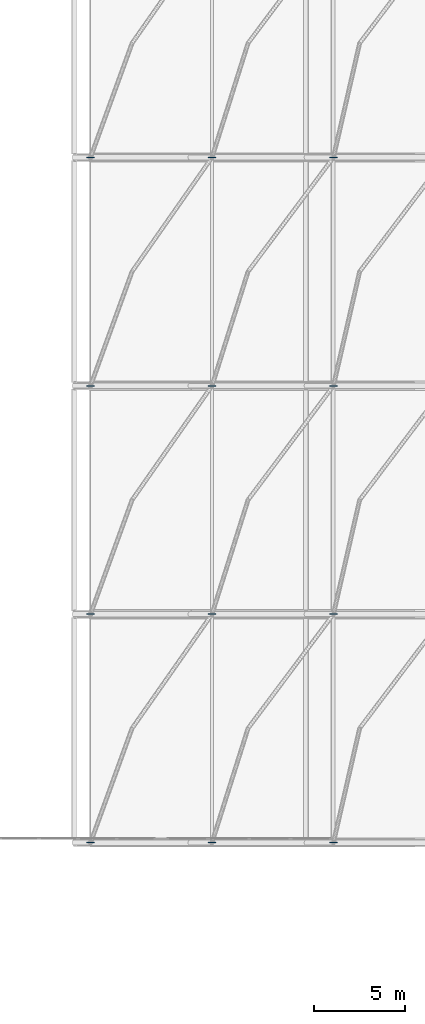
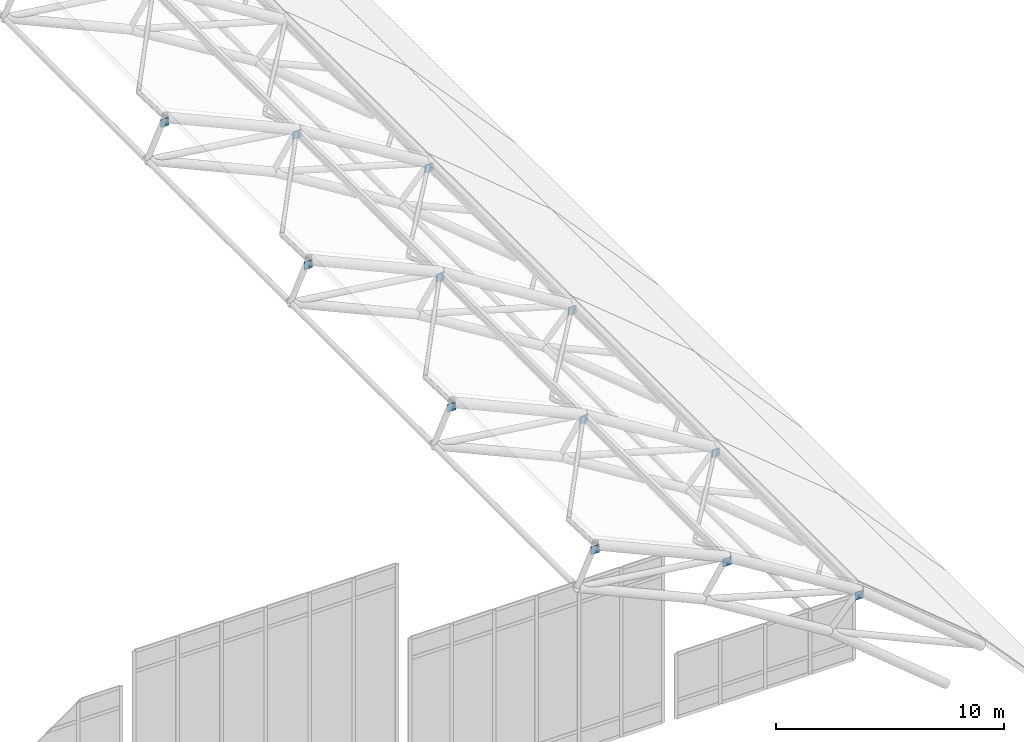
# One storey, part 33 of 42: 12 plates.
"""IFC4 building model written with IfcOpenShell, lengths in metres."""

from ifc_helpers import new_model, si_unit, derived_unit, direction, frame, origin, origin_2d, place, context, subcontext, project, spatial, rectangle, extrude, material, layer, layer_set, type_object, element, save


model = new_model("IFC4")

# Units and contexts
model_context = context("Model", 3, precision=1e-05, world=origin(), true_north=direction((0.0, 1.0)))
body_context = subcontext(model_context, "Body", "Model", "MODEL_VIEW")
ifc_project = project(units=[si_unit("LENGTHUNIT", "METRE"), si_unit("AREAUNIT", "SQUARE_METRE"), si_unit("VOLUMEUNIT", "CUBIC_METRE"), si_unit("PLANEANGLEUNIT", "RADIAN"), si_unit("MASSUNIT", "GRAM", prefix="KILO"), derived_unit("THERMALTRANSMITTANCEUNIT", [(si_unit("MASSUNIT", "GRAM", prefix="KILO"), 1), (si_unit("TIMEUNIT", "SECOND"), -3), (si_unit("THERMODYNAMICTEMPERATUREUNIT", "KELVIN"), -1)])], contexts=[model_context])

# Site, building, storey
site_placement = place(None, origin())
site = spatial("IfcSite", under=ifc_project, at=site_placement, CompositionType="ELEMENT")
building_placement = place(site_placement, origin())
building = spatial("IfcBuilding", under=site, at=building_placement, Name="Valcora Ridge Arena", CompositionType="ELEMENT")
storey_placement = place(building_placement, frame((0.0, 0.0, 26.39990234375)))
storey = spatial("IfcBuildingStorey", under=building, at=storey_placement, Name="L05", CompositionType="ELEMENT", Elevation=26.39990234375)

# Plates
ifc_material = material(Name="Steel ASTM A572 Grade 50", Category="steel")
ifc_layer = layer(ifc_material, 0.031982421875, Name="Steel ASTM A572 Grade 50")
ifc_layer_set = layer_set([ifc_layer], Name="Steel ASTM A572 Grade 50")
plate_type = type_object("IfcPlateType", Name="TY-PLATE-PL-NODE-32", PredefinedType="USERDEFINED", material=ifc_layer_set)
for number, where, z_axis, x_axis, name in (
    (1, (75.89990234375, 20.0, 10.446044921875), (0.0, 0.0, 1.0), (1.0, 0.0, 0.0), "PL-NODE-32 SF-GP-0009"),
    (2, (82.60009765625, 20.0, 7.447509765625), (0.0, 0.0, 1.0), (1.0, 0.0, 0.0), "PL-NODE-32 SF-GP-0010"),
    (3, (89.300048828125, 20.0, 3.31005859375), (0.0, 0.0, 1.0), (1.0, 0.0, 0.0), "PL-NODE-32 SF-GP-0011"),
    (4, (75.89990234375, 32.60009765625, 10.446044921875), (0.0, 0.0, 1.0), (1.0, 0.0, 0.0), "PL-NODE-32 SF-GP-0023"),
    (5, (82.60009765625, 32.60009765625, 7.447509765625), (0.0, 0.0, 1.0), (1.0, 0.0, 0.0), "PL-NODE-32 SF-GP-0024"),
    (6, (89.300048828125, 32.60009765625, 3.31005859375), (0.0, 0.0, 1.0), (1.0, 0.0, 0.0), "PL-NODE-32 SF-GP-0025"),
    (7, (75.89990234375, 45.199951171875, 10.446044921875), (0.0, 0.0, 1.0), (1.0, 0.0, 0.0), "PL-NODE-32 SF-GP-0037"),
    (8, (82.60009765625, 45.199951171875, 7.447509765625), (0.0, 0.0, 1.0), (1.0, 0.0, 0.0), "PL-NODE-32 SF-GP-0038"),
    (9, (89.300048828125, 45.199951171875, 3.31005859375), (0.0, 0.0, 1.0), (1.0, 0.0, 0.0), "PL-NODE-32 SF-GP-0039"),
    (10, (75.89990234375, 57.800048828125, 10.446044921875), (0.0, 0.0, 1.0), (1.0, 0.0, 0.0), "PL-NODE-32 SF-GP-0051"),
    (11, (82.60009765625, 57.800048828125, 7.447509765625), (0.0, 0.0, 1.0), (1.0, 0.0, 0.0), "PL-NODE-32 SF-GP-0052"),
    (12, (89.300048828125, 57.800048828125, 3.31005859375), (0.0, 0.0, 1.0), (1.0, 0.0, 0.0), "PL-NODE-32 SF-GP-0053"),
):
    element("IfcPlate", number, at=place(storey_placement, frame(where, z_axis=z_axis, x_axis=x_axis)), inside=storey, type_object=plate_type, Name=name, ObjectType="GUSSET_PLATE", PredefinedType="USERDEFINED", context=body_context, shape_type="SweptSolid", body=[
        extrude(rectangle(XDim=0.419921875, YDim=0.031982421875, at=origin_2d()), origin(), (0.0, 0.0, 1.0), 0.419921875),
    ])

save(model, "model.ifc")
